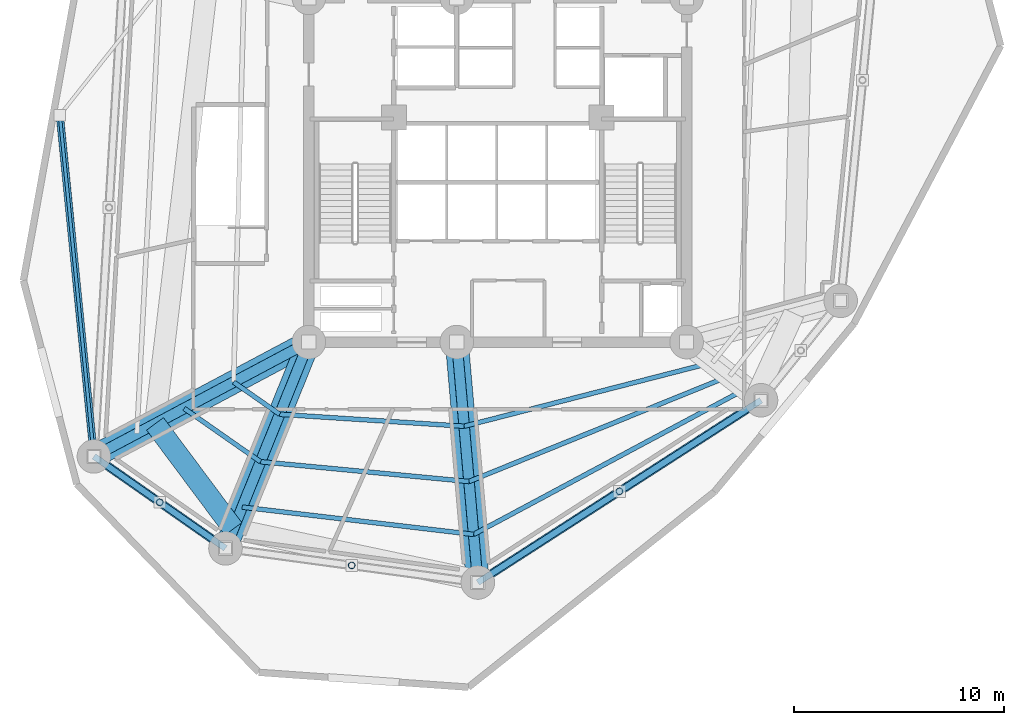
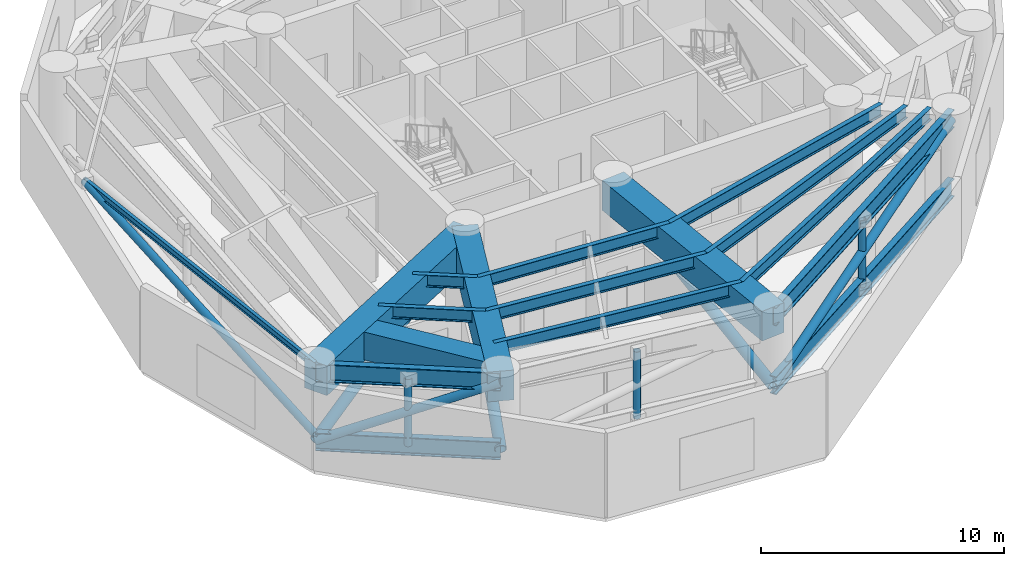
# One storey, part 2 of 13: 15 beams, 11 members.
"""IFC4 building model written with IfcOpenShell, lengths in metres."""

from ifc_helpers import new_model, si_unit, direction, frame, origin, origin_with_axes, origin_2d, place, context, subcontext, project, spatial, rectangle, hollow_circle, i_section, extrude, source, transform, mapped, material, material_profile, profile_set, type_object, element, save


model = new_model("IFC4")

# Units and contexts
model_context = context("Model", 3, precision=1e-05, world=origin(), true_north=direction((0.0, 1.0)))
body_context = subcontext(model_context, "Body", "Model", "MODEL_VIEW")
ifc_project = project(units=[si_unit("LENGTHUNIT", "METRE"), si_unit("AREAUNIT", "SQUARE_METRE"), si_unit("VOLUMEUNIT", "CUBIC_METRE"), si_unit("PLANEANGLEUNIT", "RADIAN"), si_unit("MASSUNIT", "GRAM", prefix="KILO")], contexts=[model_context])

# Site, building, storey
site_placement = place(None, origin())
site = spatial("IfcSite", under=ifc_project, at=site_placement, CompositionType="ELEMENT")
building_placement = place(site_placement, origin())
building = spatial("IfcBuilding", under=site, at=building_placement, Name="Karkom Vertical University and Central Library", CompositionType="ELEMENT")
storey_placement = place(building_placement, frame((0.0, 0.0, 87.699951171875)))
storey = spatial("IfcBuildingStorey", under=building, at=storey_placement, Name="P23", CompositionType="ELEMENT", Elevation=87.699951171875)

# Beams
ifc_material_1 = material(Name="Concrete C50/60", Category="concrete")
ifc_material_profile_1 = material_profile(ifc_material_1, rectangle(XDim=1.10009765625, YDim=1.5, at=origin_2d()), Name="TG-1100x1500")
ifc_profile_set_1 = profile_set([ifc_material_profile_1], Name="Concrete C50/60")
beam_type_1 = type_object("IfcBeamType", Name="STR-BM-TG-1", PredefinedType="USERDEFINED", material=ifc_profile_set_1)
shared_shape_1 = source(origin_with_axes(), body_context, "Body", "SweptSolid", [
    extrude(rectangle(XDim=1.10009765625, YDim=1.5, at=origin_2d()), origin(), (0.0, 0.0, 1.0), 11.499755859375),
])
beam_1_placement = place(storey_placement, frame((26.550048828125, 18.300048828125, 3.525146484375), z_axis=(0.087127973109, -0.99619712723, 0.0), x_axis=(0.99619712723, 0.087127973109, 0.0)))
element("IfcBeam", 1, at=beam_1_placement, inside=storey, type_object=beam_type_1, Name="Plant Level 23 Radial Frame Girder 08", ObjectType="GIRDER", PredefinedType="USERDEFINED", context=body_context, shape_type="MappedRepresentation", body=[
    mapped(shared_shape_1, transform((0.0, 0.0, 0.0), scale=1.0)),
])
shared_shape_2 = source(origin_with_axes(), body_context, "Body", "SweptSolid", [
    extrude(rectangle(XDim=1.10009765625, YDim=1.5, at=origin_2d()), origin(), (0.0, 0.0, 1.0), 11.599853515625),
])
beam_2_placement = place(storey_placement, frame((19.5, 18.300048828125, 3.525146484375), z_axis=(-0.882936620635, -0.469492197957, 0.0), x_axis=(0.469492197957, -0.882936620635, 0.0)))
element("IfcBeam", 2, at=beam_2_placement, inside=storey, type_object=beam_type_1, Name="Plant Level 23 Radial Frame Girder 06", ObjectType="GIRDER", PredefinedType="USERDEFINED", context=body_context, shape_type="MappedRepresentation", body=[
    mapped(shared_shape_2, transform((0.0, 0.0, 0.0), scale=1.0)),
])
shared_shape_3 = source(origin_with_axes(), body_context, "Body", "SweptSolid", [
    extrude(rectangle(XDim=1.10009765625, YDim=1.5, at=origin_2d()), origin(), (0.0, 0.0, 1.0), 10.60009765625),
])
beam_3_placement = place(storey_placement, frame((19.5, 18.300048828125, 3.525146484375), z_axis=(-0.374616894394, -0.927179692635, 0.0), x_axis=(0.927179692635, -0.374616894394, 0.0)))
element("IfcBeam", 3, at=beam_3_placement, inside=storey, type_object=beam_type_1, Name="Plant Level 23 Radial Frame Girder 07", ObjectType="GIRDER", PredefinedType="USERDEFINED", context=body_context, shape_type="MappedRepresentation", body=[
    mapped(shared_shape_3, transform((0.0, 0.0, 0.0), scale=1.0)),
])
ifc_material_2 = material(Name="Steel S355", Category="steel")
ifc_material_profile_2 = material_profile(ifc_material_2, i_section(OverallWidth=0.219970703125, OverallDepth=0.60009765625, WebThickness=0.011962890625, FlangeThickness=0.01904296875, FilletRadius=0.02392578125, at=origin_2d()), Name="IPE 600")
ifc_profile_set_2 = profile_set([ifc_material_profile_2], Name="Steel S355")
beam_type_2 = type_object("IfcBeamType", Name="STR-BM-SB-IPE600", PredefinedType="BEAM", material=ifc_profile_set_2)
shared_shape_4 = source(origin_with_axes(), body_context, "Body", "SweptSolid", [
    extrude(i_section(OverallWidth=0.219970703125, OverallDepth=0.60009765625, WebThickness=0.011962890625, FlangeThickness=0.01904296875, FilletRadius=0.02392578125, at=origin_2d()), origin(), (0.0, 0.0, 1.0), 2.677490234375),
])
beam_4_placement = place(storey_placement, frame((15.915283203125, 16.393798828125, 3.97509765625), z_axis=(0.819702839548, -0.572789014243, 0.0), x_axis=(0.572789014243, 0.819702839548, 0.0)))
element("IfcBeam", 4, at=beam_4_placement, inside=storey, type_object=beam_type_2, Name="Plant Level 23 Secondary Composite Floor Beam 1.06", PredefinedType="BEAM", context=body_context, shape_type="MappedRepresentation", body=[
    mapped(shared_shape_4, transform((0.0, 0.0, 0.0), scale=1.0)),
])
shared_shape_5 = source(origin_with_axes(), body_context, "Body", "SweptSolid", [
    extrude(i_section(OverallWidth=0.219970703125, OverallDepth=0.60009765625, WebThickness=0.011962890625, FlangeThickness=0.01904296875, FilletRadius=0.02392578125, at=origin_2d()), origin(), (0.0, 0.0, 1.0), 8.80908203125),
])
beam_5_placement = place(storey_placement, frame((18.110107421875, 14.860107421875, 3.97509765625), z_axis=(0.997905617906, -0.064686766433, 0.0), x_axis=(0.064686766433, 0.997905617906, 0.0)))
element("IfcBeam", 5, at=beam_5_placement, inside=storey, type_object=beam_type_2, Name="Plant Level 23 Secondary Composite Floor Beam 1.07", PredefinedType="BEAM", context=body_context, shape_type="MappedRepresentation", body=[
    mapped(shared_shape_5, transform((0.0, 0.0, 0.0), scale=1.0)),
])
shared_shape_6 = source(origin_with_axes(), body_context, "Body", "SweptSolid", [
    extrude(i_section(OverallWidth=0.219970703125, OverallDepth=0.60009765625, WebThickness=0.011962890625, FlangeThickness=0.01904296875, FilletRadius=0.02392578125, at=origin_2d()), origin(), (0.0, 0.0, 1.0), 12.224609375),
])
beam_6_placement = place(storey_placement, frame((26.900634765625, 14.290283203125, 3.97509765625), z_axis=(0.968580403264, 0.248700628092, 0.0), x_axis=(-0.248700628092, 0.968580403264, 0.0)))
element("IfcBeam", 6, at=beam_6_placement, inside=storey, type_object=beam_type_2, Name="Plant Level 23 Secondary Composite Floor Beam 1.08", PredefinedType="BEAM", context=body_context, shape_type="MappedRepresentation", body=[
    mapped(shared_shape_6, transform((0.0, 0.0, 0.0), scale=1.0)),
])
shared_shape_7 = source(origin_with_axes(), body_context, "Body", "SweptSolid", [
    extrude(i_section(OverallWidth=0.219970703125, OverallDepth=0.60009765625, WebThickness=0.011962890625, FlangeThickness=0.01904296875, FilletRadius=0.02392578125, at=origin_2d()), origin(), (0.0, 0.0, 1.0), 4.437255859375),
])
beam_7_placement = place(storey_placement, frame((13.5595703125, 15.141357421875, 3.97509765625), z_axis=(0.819712425733, -0.572775295468, 0.0), x_axis=(0.572775295468, 0.819712425733, 0.0)))
element("IfcBeam", 7, at=beam_7_placement, inside=storey, type_object=beam_type_2, Name="Plant Level 23 Secondary Composite Floor Beam 2.06", PredefinedType="BEAM", context=body_context, shape_type="MappedRepresentation", body=[
    mapped(shared_shape_7, transform((0.0, 0.0, 0.0), scale=1.0)),
])
shared_shape_8 = source(origin_with_axes(), body_context, "Body", "SweptSolid", [
    extrude(i_section(OverallWidth=0.219970703125, OverallDepth=0.60009765625, WebThickness=0.011962890625, FlangeThickness=0.01904296875, FilletRadius=0.02392578125, at=origin_2d()), origin(), (0.0, 0.0, 1.0), 9.97900390625),
])
beam_8_placement = place(storey_placement, frame((17.19677734375, 12.599853515625, 3.97509765625), z_axis=(0.995512389915, -0.094631292526, 0.0), x_axis=(0.094631292526, 0.995512389915, 0.0)))
element("IfcBeam", 8, at=beam_8_placement, inside=storey, type_object=beam_type_2, Name="Plant Level 23 Secondary Composite Floor Beam 2.07", PredefinedType="BEAM", context=body_context, shape_type="MappedRepresentation", body=[
    mapped(shared_shape_8, transform((0.0, 0.0, 0.0), scale=1.0)),
])
shared_shape_9 = source(origin_with_axes(), body_context, "Body", "SweptSolid", [
    extrude(i_section(OverallWidth=0.219970703125, OverallDepth=0.60009765625, WebThickness=0.011962890625, FlangeThickness=0.01904296875, FilletRadius=0.02392578125, at=origin_2d()), origin(), (0.0, 0.0, 1.0), 13.407958984375),
])
beam_9_placement = place(storey_placement, frame((27.131103515625, 11.655517578125, 3.97509765625), z_axis=(0.926727273371, 0.375734694685, 0.0), x_axis=(-0.375734694685, 0.926727273371, 0.0)))
element("IfcBeam", 9, at=beam_9_placement, inside=storey, type_object=beam_type_2, Name="Plant Level 23 Secondary Composite Floor Beam 2.08", PredefinedType="BEAM", context=body_context, shape_type="MappedRepresentation", body=[
    mapped(shared_shape_9, transform((0.0, 0.0, 0.0), scale=1.0)),
])
shared_shape_10 = source(origin_with_axes(), body_context, "Body", "SweptSolid", [
    extrude(i_section(OverallWidth=0.219970703125, OverallDepth=0.60009765625, WebThickness=0.011962890625, FlangeThickness=0.01904296875, FilletRadius=0.02392578125, at=origin_2d()), origin(), (0.0, 0.0, 1.0), 11.10498046875),
])
beam_10_placement = place(storey_placement, frame((16.3232421875, 10.4375, 3.97509765625), z_axis=(0.993100390447, -0.117267278018, 0.0), x_axis=(0.117267278018, 0.993100390447, 0.0)))
element("IfcBeam", 10, at=beam_10_placement, inside=storey, type_object=beam_type_2, Name="Plant Level 23 Secondary Composite Floor Beam 3.07", PredefinedType="BEAM", context=body_context, shape_type="MappedRepresentation", body=[
    mapped(shared_shape_10, transform((0.0, 0.0, 0.0), scale=1.0)),
])
shared_shape_11 = source(origin_with_axes(), body_context, "Body", "SweptSolid", [
    extrude(i_section(OverallWidth=0.219970703125, OverallDepth=0.60009765625, WebThickness=0.011962890625, FlangeThickness=0.01904296875, FilletRadius=0.02392578125, at=origin_2d()), origin(), (0.0, 0.0, 1.0), 14.727783203125),
])
beam_11_placement = place(storey_placement, frame((27.3515625, 9.13525390625, 3.97509765625), z_axis=(0.881697726656, 0.471814708131, 0.0), x_axis=(-0.471814708131, 0.881697726656, 0.0)))
element("IfcBeam", 11, at=beam_11_placement, inside=storey, type_object=beam_type_2, Name="Plant Level 23 Secondary Composite Floor Beam 3.08", PredefinedType="BEAM", context=body_context, shape_type="MappedRepresentation", body=[
    mapped(shared_shape_11, transform((0.0, 0.0, 0.0), scale=1.0)),
])
ifc_material_3 = material(Name="Steel S460", Category="steel")
ifc_material_profile_3 = material_profile(ifc_material_3, i_section(OverallWidth=0.300048828125, OverallDepth=0.89990234375, WebThickness=0.0185546875, FlangeThickness=0.034912109375, FilletRadius=0.030029296875, at=origin_2d()), Name="HE 900 B")
ifc_profile_set_3 = profile_set([ifc_material_profile_3], Name="Steel S460")
beam_type_3 = type_object("IfcBeamType", Name="STR-BM-SB-HE900", PredefinedType="USERDEFINED", material=ifc_profile_set_3)
shared_shape_12 = source(origin_with_axes(), body_context, "Body", "SweptSolid", [
    extrude(i_section(OverallWidth=0.300048828125, OverallDepth=0.89990234375, WebThickness=0.0185546875, FlangeThickness=0.034912109375, FilletRadius=0.030029296875, at=origin_2d()), origin(), (0.0, 0.0, 1.0), 7.650390625),
])
beam_12_placement = place(storey_placement, frame((9.258056640625, 12.85400390625, 3.824951171875), z_axis=(0.819699409527, -0.572793922822, 0.0), x_axis=(0.572793922822, 0.819699409527, 0.0)))
element("IfcBeam", 12, at=beam_12_placement, inside=storey, type_object=beam_type_3, Name="Plant Level 23 Perimeter Spandrel Beam 06", ObjectType="GIRDER", PredefinedType="USERDEFINED", context=body_context, shape_type="MappedRepresentation", body=[
    mapped(shared_shape_12, transform((0.0, 0.0, 0.0), scale=1.0)),
])
shared_shape_13 = source(origin_with_axes(), body_context, "Body", "SweptSolid", [
    extrude(i_section(OverallWidth=0.300048828125, OverallDepth=0.89990234375, WebThickness=0.0185546875, FlangeThickness=0.034912109375, FilletRadius=0.030029296875, at=origin_2d()), origin(), (0.0, 0.0, 1.0), 16.0478515625),
])
beam_13_placement = place(storey_placement, frame((27.552001953125, 6.843994140625, 3.824951171875), z_axis=(0.84085555045, 0.541259589548, 0.0), x_axis=(-0.541259589548, 0.84085555045, 0.0)))
element("IfcBeam", 13, at=beam_13_placement, inside=storey, type_object=beam_type_3, Name="Plant Level 23 Perimeter Spandrel Beam 08", ObjectType="GIRDER", PredefinedType="USERDEFINED", context=body_context, shape_type="MappedRepresentation", body=[
    mapped(shared_shape_13, transform((0.0, 0.0, 0.0), scale=1.0)),
])
ifc_material_profile_4 = material_profile(ifc_material_1, rectangle(XDim=1.0, YDim=1.39990234375, at=origin_2d()), Name="TG-1000x1400")
ifc_profile_set_4 = profile_set([ifc_material_profile_4], Name="Concrete C50/60")
beam_type_4 = type_object("IfcBeamType", Name="STR-BM-TG-2", PredefinedType="USERDEFINED", material=ifc_profile_set_4)
shared_shape_14 = source(origin_with_axes(), body_context, "Body", "SweptSolid", [
    extrude(rectangle(XDim=1.0, YDim=1.39990234375, at=origin_2d()), origin(), (0.0, 0.0, 1.0), 6.242431640625),
])
beam_14_placement = place(storey_placement, frame((12.172119140625, 14.403076171875, 3.574951171875), z_axis=(0.59782643552, -0.801625569074, 0.0), x_axis=(0.801625569074, 0.59782643552, 0.0)))
element("IfcBeam", 14, at=beam_14_placement, inside=storey, type_object=beam_type_4, Name="Plant Level 23 Upper Column Transfer Ring 06", ObjectType="GIRDER", PredefinedType="USERDEFINED", context=body_context, shape_type="MappedRepresentation", body=[
    mapped(shared_shape_14, transform((0.0, 0.0, 0.0), scale=1.0)),
])
ifc_material_profile_5 = material_profile(ifc_material_2, i_section(OverallWidth=0.159912109375, OverallDepth=0.330078125, WebThickness=0.007568359375, FlangeThickness=0.011474609375, FilletRadius=0.01806640625, at=origin_2d()), Name="IPE 330")
ifc_profile_set_5 = profile_set([ifc_material_profile_5], Name="Steel S355")
beam_type_5 = type_object("IfcBeamType", Name="STR-BM-SB-IPE330", PredefinedType="BEAM", material=ifc_profile_set_5)
shared_shape_15 = source(origin_with_axes(), body_context, "Body", "SweptSolid", [
    extrude(i_section(OverallWidth=0.159912109375, OverallDepth=0.330078125, WebThickness=0.007568359375, FlangeThickness=0.011474609375, FilletRadius=0.01806640625, at=origin_2d()), origin(), (0.0, 0.0, 1.0), 16.337646484375),
])
beam_15_placement = place(storey_placement, frame((9.258056640625, 12.85400390625, 4.110107421875), z_axis=(-0.099419383824, 0.99504562012, 0.0), x_axis=(-0.99504562012, -0.099419383824, 0.0)))
element("IfcBeam", 15, at=beam_15_placement, inside=storey, type_object=beam_type_5, Name="Plant Level 23 Sky Garden Outrigger Support Beam 2", PredefinedType="BEAM", context=body_context, shape_type="MappedRepresentation", body=[
    mapped(shared_shape_15, transform((0.0, 0.0, 0.0), scale=1.0)),
])

# Members
ifc_material_profile_6 = material_profile(ifc_material_2, hollow_circle(Radius=0.177734375, WallThickness=0.01611328125, at=origin_2d()), Name="CHS 355.6x16")
ifc_profile_set_6 = profile_set([ifc_material_profile_6], Name="Steel S355")
member_type_1 = type_object("IfcMemberType", Name="STR-MEM-BR-3", PredefinedType="BRACE", material=ifc_profile_set_6)
shared_shape_16 = source(origin_with_axes(), body_context, "Body", "SweptSolid", [
    extrude(hollow_circle(Radius=0.177734375, WallThickness=0.01611328125, at=origin_2d()), origin(), (0.0, 0.0, 1.0), 16.7041015625),
])
member_1_placement = place(storey_placement, frame((9.258056640625, 12.85400390625, 0.630126953125), z_axis=(-0.097237950022, 0.973212592534, 0.208331540601), x_axis=(-0.99504562012, -0.099419383824, 0.0)))
element("IfcMember", 16, at=member_1_placement, inside=storey, type_object=member_type_1, Name="Plant Level 23 Sky Garden Knee Strut Brace 2", PredefinedType="BRACE", context=body_context, shape_type="MappedRepresentation", body=[
    mapped(shared_shape_16, transform((0.0, 0.0, 0.0), scale=1.0)),
])
ifc_material_profile_7 = material_profile(ifc_material_2, hollow_circle(Radius=0.161865234375, WallThickness=0.01611328125, at=origin_2d()), Name="CHS 323.9x16")
ifc_profile_set_7 = profile_set([ifc_material_profile_7], Name="Steel S355")
member_type_2 = type_object("IfcMemberType", Name="STR-MEM-PT-1", PredefinedType="POST", material=ifc_profile_set_7)
shared_shape_17 = source(origin_with_axes(), body_context, "Body", "SweptSolid", [
    extrude(hollow_circle(Radius=0.161865234375, WallThickness=0.01611328125, at=origin_2d()), origin(), (0.0, 0.0, 1.0), 3.375),
])
for number, where, z_axis, x_axis, name in (
    (17, (12.3935546875, 10.6630859375, 0.35009765625), (0.0, 0.0, 1.0), (1.0, 0.0, 0.0), "Plant Level 23 Belt Truss Web Post 06"),
    (18, (21.54052734375, 7.657958984375, 0.35009765625), (0.0, 0.0, 1.0), (1.0, 0.0, 0.0), "Plant Level 23 Belt Truss Web Post 07"),
    (19, (34.299072265625, 11.18701171875, 0.35009765625), (0.0, 0.0, 1.0), (1.0, 0.0, 0.0), "Plant Level 23 Belt Truss Web Post 08"),
):
    element("IfcMember", number, at=place(storey_placement, frame(where, z_axis=z_axis, x_axis=x_axis)), inside=storey, type_object=member_type_2, Name=name, PredefinedType="POST", context=body_context, shape_type="MappedRepresentation", body=[
        mapped(shared_shape_17, transform((0.0, 0.0, 0.0), scale=1.0)),
    ])
ifc_material_profile_8 = material_profile(ifc_material_2, hollow_circle(Radius=0.203125, WallThickness=0.02001953125, at=origin_2d()), Name="CHS 406.4x20")
ifc_profile_set_8 = profile_set([ifc_material_profile_8], Name="Steel S355")
member_type_3 = type_object("IfcMemberType", Name="STR-MEM-BR-2", PredefinedType="BRACE", material=ifc_profile_set_8)
shared_shape_18 = source(origin_with_axes(), body_context, "Body", "SweptSolid", [
    extrude(hollow_circle(Radius=0.203125, WallThickness=0.02001953125, at=origin_2d()), origin(), (0.0, 0.0, 1.0), 8.36181640625),
])
member_2_placement = place(storey_placement, frame((9.258056640625, 12.85400390625, 0.35009765625), z_axis=(0.749963341472, -0.524063381456, 0.403624279082), x_axis=(0.572793922822, 0.819699409527, 0.0)))
element("IfcMember", 20, at=member_2_placement, inside=storey, type_object=member_type_3, Name="Plant Level 23 Belt Truss Diagonal Brace 06", PredefinedType="BRACE", context=body_context, shape_type="MappedRepresentation", body=[
    mapped(shared_shape_18, transform((0.0, 0.0, 0.0), scale=1.0)),
])
ifc_material_profile_9 = material_profile(ifc_material_3, i_section(OverallWidth=0.300048828125, OverallDepth=0.89990234375, WebThickness=0.0185546875, FlangeThickness=0.034912109375, FilletRadius=0.030029296875, at=origin_2d()), Name="HE 900 B")
ifc_profile_set_9 = profile_set([ifc_material_profile_9], Name="Steel S460")
member_type_4 = type_object("IfcMemberType", Name="STR-MEM-CH-1", PredefinedType="CHORD", material=ifc_profile_set_9)
shared_shape_19 = source(origin_with_axes(), body_context, "Body", "SweptSolid", [
    extrude(i_section(OverallWidth=0.300048828125, OverallDepth=0.89990234375, WebThickness=0.0185546875, FlangeThickness=0.034912109375, FilletRadius=0.030029296875, at=origin_2d()), origin(), (0.0, 0.0, 1.0), 7.650390625),
])
member_3_placement = place(storey_placement, frame((9.258056640625, 12.85400390625, 0.35009765625), z_axis=(0.819699409527, -0.572793922822, 0.0), x_axis=(0.572793922822, 0.819699409527, 0.0)))
element("IfcMember", 21, at=member_3_placement, inside=storey, type_object=member_type_4, Name="Plant Level 23 Belt Truss Bottom Chord 06", PredefinedType="CHORD", context=body_context, shape_type="MappedRepresentation", body=[
    mapped(shared_shape_19, transform((0.0, 0.0, 0.0), scale=1.0)),
])
shared_shape_20 = source(origin_with_axes(), body_context, "Body", "SweptSolid", [
    extrude(hollow_circle(Radius=0.203125, WallThickness=0.02001953125, at=origin_2d()), origin(), (0.0, 0.0, 1.0), 16.39892578125),
])
member_4_placement = place(storey_placement, frame((27.552001953125, 6.843994140625, 0.35009765625), z_axis=(0.822855053579, 0.529672651051, 0.205806811179), x_axis=(-0.541259589548, 0.84085555045, 0.0)))
element("IfcMember", 22, at=member_4_placement, inside=storey, type_object=member_type_3, Name="Plant Level 23 Belt Truss Diagonal Brace 08", PredefinedType="BRACE", context=body_context, shape_type="MappedRepresentation", body=[
    mapped(shared_shape_20, transform((0.0, 0.0, 0.0), scale=1.0)),
])
shared_shape_21 = source(origin_with_axes(), body_context, "Body", "SweptSolid", [
    extrude(i_section(OverallWidth=0.300048828125, OverallDepth=0.89990234375, WebThickness=0.0185546875, FlangeThickness=0.034912109375, FilletRadius=0.030029296875, at=origin_2d()), origin(), (0.0, 0.0, 1.0), 16.0478515625),
])
member_5_placement = place(storey_placement, frame((27.552001953125, 6.843994140625, 0.35009765625), z_axis=(0.84085555045, 0.541259589548, 0.0), x_axis=(-0.541259589548, 0.84085555045, 0.0)))
element("IfcMember", 23, at=member_5_placement, inside=storey, type_object=member_type_4, Name="Plant Level 23 Belt Truss Bottom Chord 08", PredefinedType="CHORD", context=body_context, shape_type="MappedRepresentation", body=[
    mapped(shared_shape_21, transform((0.0, 0.0, 0.0), scale=1.0)),
])
ifc_material_profile_10 = material_profile(ifc_material_3, hollow_circle(Radius=0.25390625, WallThickness=0.02490234375, at=origin_2d()), Name="CHS 508x25")
ifc_profile_set_10 = profile_set([ifc_material_profile_10], Name="Steel S460")
member_type_5 = type_object("IfcMemberType", Name="STR-MEM-BR-1", PredefinedType="BRACE", material=ifc_profile_set_10)
shared_shape_22 = source(origin_with_axes(), body_context, "Body", "SweptSolid", [
    extrude(hollow_circle(Radius=0.25390625, WallThickness=0.02490234375, at=origin_2d()), origin(), (0.0, 0.0, 1.0), 11.98486328125),
])
member_6_placement = place(storey_placement, frame((26.550048828125, 18.300048828125, 3.72509765625), z_axis=(0.083601904326, -0.955881032799, -0.281606414573), x_axis=(0.99619712723, 0.087127973109, 0.0)))
element("IfcMember", 24, at=member_6_placement, inside=storey, type_object=member_type_5, Name="Plant Level 23 Outrigger Truss Diagonal 08", PredefinedType="BRACE", context=body_context, shape_type="MappedRepresentation", body=[
    mapped(shared_shape_22, transform((0.0, 0.0, 0.0), scale=1.0)),
])
shared_shape_23 = source(origin_with_axes(), body_context, "Body", "SweptSolid", [
    extrude(hollow_circle(Radius=0.25390625, WallThickness=0.02490234375, at=origin_2d()), origin(), (0.0, 0.0, 1.0), 12.080810546875),
])
member_7_placement = place(storey_placement, frame((19.5, 18.300048828125, 3.72509765625), z_axis=(-0.847781895199, -0.450799044986, -0.279367283718), x_axis=(0.469492197957, -0.882936620635, 0.0)))
element("IfcMember", 25, at=member_7_placement, inside=storey, type_object=member_type_5, Name="Plant Level 23 Outrigger Truss Diagonal 06", PredefinedType="BRACE", context=body_context, shape_type="MappedRepresentation", body=[
    mapped(shared_shape_23, transform((0.0, 0.0, 0.0), scale=1.0)),
])
shared_shape_24 = source(origin_with_axes(), body_context, "Body", "SweptSolid", [
    extrude(hollow_circle(Radius=0.25390625, WallThickness=0.02490234375, at=origin_2d()), origin(), (0.0, 0.0, 1.0), 11.124267578125),
])
member_8_placement = place(storey_placement, frame((19.5, 18.300048828125, 3.72509765625), z_axis=(-0.356960043908, -0.883478851986, -0.30338860418), x_axis=(0.927179692635, -0.374616894394, 0.0)))
element("IfcMember", 26, at=member_8_placement, inside=storey, type_object=member_type_5, Name="Plant Level 23 Outrigger Truss Diagonal 07", PredefinedType="BRACE", context=body_context, shape_type="MappedRepresentation", body=[
    mapped(shared_shape_24, transform((0.0, 0.0, 0.0), scale=1.0)),
])

save(model, "model.ifc")
